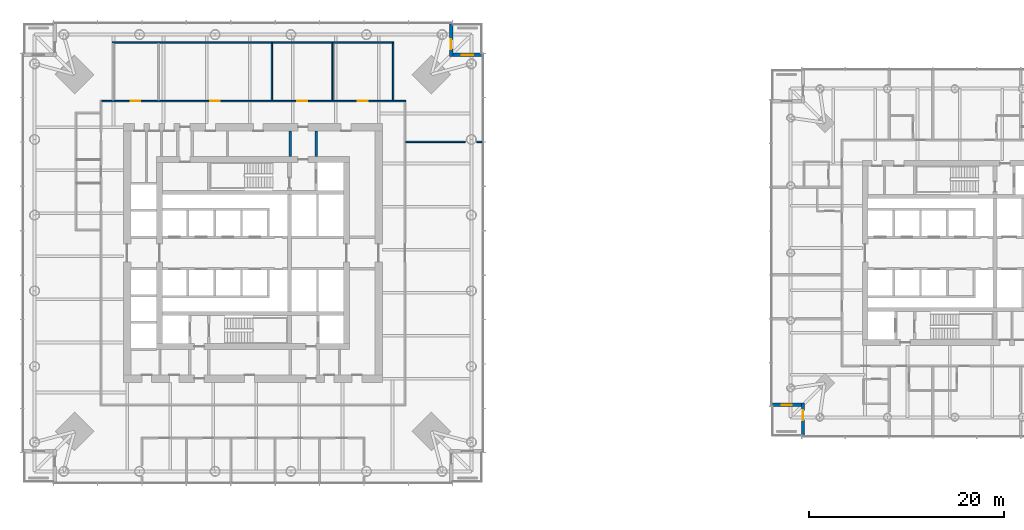
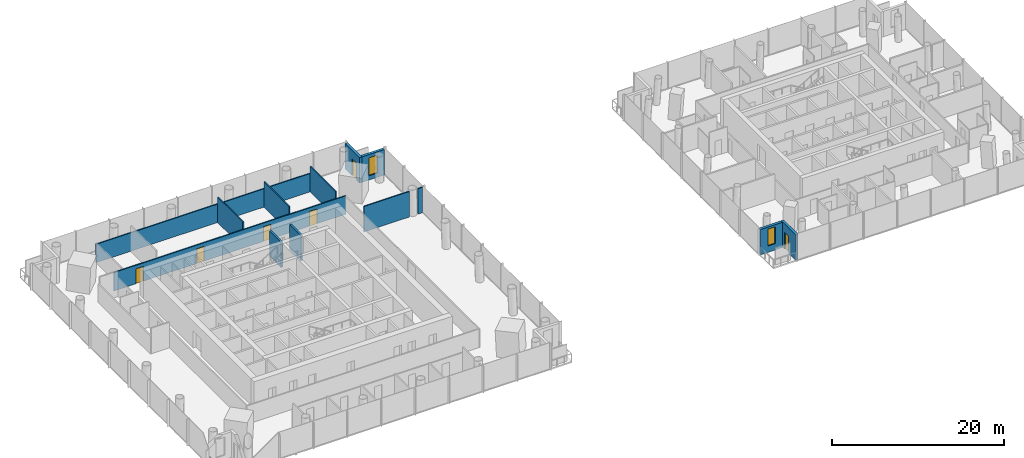
# One storey, part 11 of 18: 13 walls, 6 doors, 2 windows, 8 openings.
"""IFC4 building model written with IfcOpenShell, lengths in metres."""

from ifc_helpers import new_model, si_unit, direction, frame, frame_2d, origin, place, context, subcontext, project, spatial, rectangle, extrude, material, layer, layer_set, type_object, element, fill, save


model = new_model("IFC4")

# Units and contexts
model_context = context("Model", 3, precision=1e-05, world=origin(), true_north=direction((0.0, 1.0)))
body_context = subcontext(model_context, "Body", "Model", "MODEL_VIEW")
ifc_project = project(units=[si_unit("LENGTHUNIT", "METRE"), si_unit("AREAUNIT", "SQUARE_METRE"), si_unit("VOLUMEUNIT", "CUBIC_METRE"), si_unit("PLANEANGLEUNIT", "RADIAN"), si_unit("MASSUNIT", "GRAM", prefix="KILO")], contexts=[model_context])

# Site, building, storey
site_placement = place(None, origin())
site = spatial("IfcSite", under=ifc_project, at=site_placement, CompositionType="ELEMENT")
building_placement = place(site_placement, origin())
building = spatial("IfcBuilding", under=site, at=building_placement, Name="Ostroluk Exchange", CompositionType="ELEMENT")
storey_placement = place(building_placement, frame((0.0, 0.0, 70.39990234375)))
storey = spatial("IfcBuildingStorey", under=building, at=storey_placement, Name="L17", CompositionType="ELEMENT", Elevation=70.39990234375)

# Walls
ifc_material_1 = material(Name="Concrete blockwork", Category="masonry")
ifc_layer_1 = layer(ifc_material_1, 0.25)
ifc_layer_set_1 = layer_set([ifc_layer_1], Name="Blockwork stair enclosure wall 250")
wall_type_1 = type_object("IfcWallType", Name="Blockwork stair enclosure wall 250", PredefinedType="SOLIDWALL", material=ifc_layer_set_1)
for number, where, z_axis, x_axis, name in (
    (1, (48.804931640625, 55.89990234375, 0.0), (0.0, 0.0, 1.0), (0.0, 1.0, 0.0), "Fire lobby enclosure wall"),
    (2, (51.47509765625, 55.89990234375, 0.0), (0.0, 0.0, 1.0), (0.0, 1.0, 0.0), "Fire lobby enclosure wall"),
):
    element("IfcWall", number, at=place(storey_placement, frame(where, z_axis=z_axis, x_axis=x_axis)), inside=storey, type_object=wall_type_1, Name=name, PredefinedType="SOLIDWALL", context=body_context, shape_type="SweptSolid", body=[
        extrude(rectangle(XDim=2.60009765625, YDim=0.25, at=frame_2d((1.300048828125, 0.0))), origin(), (0.0, 0.0, 1.0), 3.6201171875),
    ])

# Wall, opening, door
ifc_material_2 = material(Name="Limestone", Category="masonry")
ifc_layer_2 = layer(ifc_material_2, 0.35009765625)
ifc_layer_set_2 = layer_set([ifc_layer_2], Name="Limestone facade wall 350")
wall_type_2 = type_object("IfcWallType", Name="Limestone facade wall 350", PredefinedType="SOLIDWALL", material=ifc_layer_set_2)
wall_1_placement = place(storey_placement, frame((65.324951171875, 69.5, 0.0), z_axis=(0.0, 0.0, 1.0), x_axis=(0.0, -1.0, 0.0)))
wall_1 = element("IfcWall", 3, at=wall_1_placement, inside=storey, type_object=wall_type_2, Name="Office tower NE corner wall L17 a", PredefinedType="SOLIDWALL", context=body_context, shape_type="SweptSolid", body=[
    extrude(rectangle(XDim=3.35009765625, YDim=0.35009765625, at=frame_2d((1.675048828125, 0.0))), origin(), (0.0, 0.0, 1.0), 3.6201171875),
])
opening_1_placement = place(wall_1_placement, frame((1.60009765625, 0.0, 0.0)))
opening_1 = element("IfcOpeningElement", 4, at=opening_1_placement, cuts=wall_1, Name="Opening D-B1", PredefinedType="OPENING", context=body_context, shape_type="SweptSolid", body=[
    extrude(rectangle(XDim=1.0, YDim=2.39990234375, at=frame_2d((0.5, 1.199951171875))), frame((0.0, 0.18505859375, 0.0), z_axis=(0.0, -1.0, 0.0), x_axis=(1.0, 0.0, 0.0)), (0.0, 0.0, 1.0), 0.3701171875),
])
ifc_material_3 = material(Name="Bronze framed glazed door", Category="aluminium")
door_type_1 = type_object("IfcDoorType", Name="Balcony door 1000 x 2400", OperationType="SINGLE_SWING_LEFT", PredefinedType="DOOR", material=ifc_material_3)
door_1_placement = place(opening_1_placement, origin())
door_1 = element("IfcDoor", 5, at=door_1_placement, inside=storey, type_object=door_type_1, Name="Office tower NE balcony door L17", OperationType="SINGLE_SWING_RIGHT", OverallHeight=2.39990234375, OverallWidth=1.0, PredefinedType="DOOR", context=body_context, shape_type="SweptSolid", body=[
    extrude(rectangle(XDim=1.0, YDim=2.39990234375, at=frame_2d((0.5, 1.199951171875))), frame((0.0, 0.02490234375, 0.0), z_axis=(0.0, -1.0, 0.0), x_axis=(1.0, 0.0, 0.0)), (0.0, 0.0, 1.0), 0.050048828125),
])
fill(opening_1, door_1)

# Wall, opening, window
wall_2_placement = place(storey_placement, frame((65.5, 66.324951171875, 0.0), z_axis=(0.0, 0.0, 1.0), x_axis=(1.0, 0.0, 0.0)))
wall_2 = element("IfcWall", 6, at=wall_2_placement, inside=storey, type_object=wall_type_2, Name="Office tower NE corner wall L17 b", PredefinedType="SOLIDWALL", context=body_context, shape_type="SweptSolid", body=[
    extrude(rectangle(XDim=3.0, YDim=0.35009765625, at=frame_2d((1.5, 0.0))), origin(), (0.0, 0.0, 1.0), 3.6201171875),
])
opening_2_placement = place(wall_2_placement, frame((0.89990234375, 0.0, 0.60009765625)))
opening_2 = element("IfcOpeningElement", 7, at=opening_2_placement, cuts=wall_2, Name="Opening WN-L1", PredefinedType="OPENING", context=body_context, shape_type="SweptSolid", body=[
    extrude(rectangle(XDim=1.199951171875, YDim=2.550048828125, at=frame_2d((0.60009765625, 1.27490234375))), frame((0.0, 0.18505859375, 0.0), z_axis=(0.0, -1.0, 0.0), x_axis=(1.0, 0.0, 0.0)), (0.0, 0.0, 1.0), 0.3701171875),
])
ifc_material_4 = material(Name="Laminated clear glass", Category="glass")
window_type_1 = type_object("IfcWindowType", Name="Lancet window 1200 x 2550", PartitioningType="SINGLE_PANEL", PredefinedType="WINDOW", material=ifc_material_4)
window_1_placement = place(opening_2_placement, origin())
window_1 = element("IfcWindow", 8, at=window_1_placement, inside=storey, type_object=window_type_1, Name="Office tower NE lancet window L17", OverallHeight=2.550048828125, OverallWidth=1.199951171875, PartitioningType="SINGLE_PANEL", PredefinedType="WINDOW", context=body_context, shape_type="SweptSolid", body=[
    extrude(rectangle(XDim=1.199951171875, YDim=2.550048828125, at=frame_2d((0.60009765625, 1.27490234375))), frame((0.0, 0.030029296875, 0.0), z_axis=(0.0, -1.0, 0.0), x_axis=(1.0, 0.0, 0.0)), (0.0, 0.0, 1.0), 0.06005859375),
])
fill(opening_2, window_1)

# Wall, opening, door
wall_3_placement = place(storey_placement, frame((101.425048828125, 27.25, 0.0), z_axis=(0.0, 0.0, 1.0), x_axis=(0.0, 1.0, 0.0)))
wall_3 = element("IfcWall", 9, at=wall_3_placement, inside=storey, type_object=wall_type_2, Name="Hotel tower SW corner wall L17 a", PredefinedType="SOLIDWALL", context=body_context, shape_type="SweptSolid", body=[
    extrude(rectangle(XDim=3.35009765625, YDim=0.35009765625, at=frame_2d((1.675048828125, 0.0))), origin(), (0.0, 0.0, 1.0), 3.60009765625),
])
opening_3_placement = place(wall_3_placement, frame((1.60009765625, 0.0, 0.0)))
opening_3 = element("IfcOpeningElement", 10, at=opening_3_placement, cuts=wall_3, Name="Opening D-B1", PredefinedType="OPENING", context=body_context, shape_type="SweptSolid", body=[
    extrude(rectangle(XDim=1.0, YDim=2.39990234375, at=frame_2d((0.5, 1.199951171875))), frame((0.0, 0.18505859375, 0.0), z_axis=(0.0, -1.0, 0.0), x_axis=(1.0, 0.0, 0.0)), (0.0, 0.0, 1.0), 0.3701171875),
])
door_2_placement = place(opening_3_placement, origin())
door_2 = element("IfcDoor", 11, at=door_2_placement, inside=storey, type_object=door_type_1, Name="Hotel tower SW balcony door L17", OperationType="SINGLE_SWING_RIGHT", OverallHeight=2.39990234375, OverallWidth=1.0, PredefinedType="DOOR", context=body_context, shape_type="SweptSolid", body=[
    extrude(rectangle(XDim=1.0, YDim=2.39990234375, at=frame_2d((0.5, 1.199951171875))), frame((0.0, 0.02490234375, 0.0), z_axis=(0.0, -1.0, 0.0), x_axis=(1.0, 0.0, 0.0)), (0.0, 0.0, 1.0), 0.050048828125),
])
fill(opening_3, door_2)

# Wall, opening, window
wall_4_placement = place(storey_placement, frame((101.25, 30.425048828125, 0.0), z_axis=(0.0, 0.0, 1.0), x_axis=(-1.0, 0.0, 0.0)))
wall_4 = element("IfcWall", 12, at=wall_4_placement, inside=storey, type_object=wall_type_2, Name="Hotel tower SW corner wall L17 b", PredefinedType="SOLIDWALL", context=body_context, shape_type="SweptSolid", body=[
    extrude(rectangle(XDim=3.0, YDim=0.35009765625, at=frame_2d((1.5, 0.0))), origin(), (0.0, 0.0, 1.0), 3.60009765625),
])
opening_4_placement = place(wall_4_placement, frame((1.0, 0.0, 0.89990234375)))
opening_4 = element("IfcOpeningElement", 13, at=opening_4_placement, cuts=wall_4, Name="Opening WN-L3", PredefinedType="OPENING", context=body_context, shape_type="SweptSolid", body=[
    extrude(rectangle(XDim=1.0, YDim=2.39990234375, at=frame_2d((0.5, 1.199951171875))), frame((0.0, 0.18505859375, 0.0), z_axis=(0.0, -1.0, 0.0), x_axis=(1.0, 0.0, 0.0)), (0.0, 0.0, 1.0), 0.3701171875),
])
ifc_material_5 = material(Name="Laminated clear glass", Category="glass")
window_type_2 = type_object("IfcWindowType", Name="Hotel lancet window 1000 x 2400", PartitioningType="SINGLE_PANEL", PredefinedType="WINDOW", material=ifc_material_5)
window_2_placement = place(opening_4_placement, origin())
window_2 = element("IfcWindow", 14, at=window_2_placement, inside=storey, type_object=window_type_2, Name="Hotel tower SW lancet window L17", OverallHeight=2.39990234375, OverallWidth=1.0, PartitioningType="SINGLE_PANEL", PredefinedType="WINDOW", context=body_context, shape_type="SweptSolid", body=[
    extrude(rectangle(XDim=1.0, YDim=2.39990234375, at=frame_2d((0.5, 1.199951171875))), frame((0.0, 0.030029296875, 0.0), z_axis=(0.0, -1.0, 0.0), x_axis=(1.0, 0.0, 0.0)), (0.0, 0.0, 1.0), 0.06005859375),
])
fill(opening_4, window_2)

# Walls
ifc_material_6 = material(Name="Gypsum plasterboard partition", Category="gypsum")
ifc_layer_3 = layer(ifc_material_6, 0.14990234375)
ifc_layer_set_3 = layer_set([ifc_layer_3], Name="Plasterboard partition 150")
wall_type_3 = type_object("IfcWallType", Name="Plasterboard partition 150", PredefinedType="PARTITIONING", material=ifc_layer_set_3)
for number, where, z_axis, x_axis, name in (
    (15, (59.375, 61.64990234375, 0.0), (0.0, 0.0, 1.0), (0.0, 1.0, 0.0), "Partition"),
    (16, (53.15869140625, 61.64990234375, 0.0), (0.0, 0.0, 1.0), (0.0, 1.0, 0.0), "Partition"),
    (17, (46.942626953125, 61.64990234375, 0.0), (0.0, 0.0, 1.0), (0.0, 1.0, 0.0), "Partition"),
):
    element("IfcWall", number, at=place(storey_placement, frame(where, z_axis=z_axis, x_axis=x_axis)), inside=storey, type_object=wall_type_3, Name=name, PredefinedType="PARTITIONING", context=body_context, shape_type="SweptSolid", body=[
        extrude(rectangle(XDim=5.85009765625, YDim=0.14990234375, at=frame_2d((2.925048828125, 0.0))), origin(), (0.0, 0.0, 1.0), 3.6201171875),
    ])
wall_5_placement = place(storey_placement, frame((59.449951171875, 67.574951171875, 0.0), z_axis=(0.0, 0.0, 1.0), x_axis=(-1.0, 0.0, 0.0)))
element("IfcWall", 18, at=wall_5_placement, inside=storey, type_object=wall_type_3, Name="Partition", PredefinedType="PARTITIONING", context=body_context, shape_type="SweptSolid", body=[
    extrude(rectangle(XDim=28.89990234375, YDim=0.14990234375, at=frame_2d((14.449951171875, 0.0))), origin(), (0.0, 0.0, 1.0), 2.612060546875),
])
wall_6_placement = place(storey_placement, frame((60.64990234375, 57.388916015625, 0.0), z_axis=(0.0, 0.0, 1.0), x_axis=(1.0, 0.0, 0.0)))
element("IfcWall", 19, at=wall_6_placement, inside=storey, type_object=wall_type_3, Name="Tenancy partition", PredefinedType="PARTITIONING", context=body_context, shape_type="SweptSolid", body=[
    extrude(rectangle(XDim=6.14208984375, YDim=0.14990234375, at=frame_2d((3.071044921875, 0.0))), origin(), (0.0, 0.0, 1.0), 3.6201171875),
])
wall_7_placement = place(storey_placement, frame((67.929443359375, 57.388916015625, 0.0), z_axis=(0.0, 0.0, 1.0), x_axis=(1.0, 0.0, 0.0)))
element("IfcWall", 20, at=wall_7_placement, inside=storey, type_object=wall_type_3, Name="Tenancy partition", PredefinedType="PARTITIONING", context=body_context, shape_type="SweptSolid", body=[
    extrude(rectangle(XDim=0.610595703125, YDim=0.14990234375, at=frame_2d((0.30517578125, 0.0))), origin(), (0.0, 0.0, 1.0), 3.6201171875),
])

# Wall, openings, doors
wall_8_placement = place(storey_placement, frame((60.64990234375, 61.574951171875, 0.0), z_axis=(0.0, 0.0, 1.0), x_axis=(-1.0, 0.0, 0.0)))
wall_8 = element("IfcWall", 21, at=wall_8_placement, inside=storey, type_object=wall_type_3, Name="Corridor wall", PredefinedType="PARTITIONING", context=body_context, shape_type="SweptSolid", body=[
    extrude(rectangle(XDim=31.14990234375, YDim=0.14990234375, at=frame_2d((15.574951171875, 0.0))), origin(), (0.0, 0.0, 1.0), 2.612060546875),
])
opening_5_placement = place(wall_8_placement, frame((3.883056640625, 0.0, 0.0)))
opening_5 = element("IfcOpeningElement", 22, at=opening_5_placement, cuts=wall_8, Name="Opening D-03", PredefinedType="OPENING", context=body_context, shape_type="SweptSolid", body=[
    extrude(rectangle(XDim=1.0, YDim=2.10009765625, at=frame_2d((0.5, 1.050048828125))), frame((0.0, 0.0849609375, 0.0), z_axis=(0.0, -1.0, 0.0), x_axis=(1.0, 0.0, 0.0)), (0.0, 0.0, 1.0), 0.169921875),
])
opening_6_placement = place(wall_8_placement, frame((10.099365234375, 0.0, 0.0)))
opening_6 = element("IfcOpeningElement", 23, at=opening_6_placement, cuts=wall_8, Name="Opening D-03", PredefinedType="OPENING", context=body_context, shape_type="SweptSolid", body=[
    extrude(rectangle(XDim=1.0, YDim=2.10009765625, at=frame_2d((0.5, 1.050048828125))), frame((0.0, 0.0849609375, 0.0), z_axis=(0.0, -1.0, 0.0), x_axis=(1.0, 0.0, 0.0)), (0.0, 0.0, 1.0), 0.169921875),
])
opening_7_placement = place(wall_8_placement, frame((19.03515625, 0.0, 0.0)))
opening_7 = element("IfcOpeningElement", 24, at=opening_7_placement, cuts=wall_8, Name="Opening D-03", PredefinedType="OPENING", context=body_context, shape_type="SweptSolid", body=[
    extrude(rectangle(XDim=1.0, YDim=2.10009765625, at=frame_2d((0.5, 1.050048828125))), frame((0.0, 0.0849609375, 0.0), z_axis=(0.0, -1.0, 0.0), x_axis=(1.0, 0.0, 0.0)), (0.0, 0.0, 1.0), 0.169921875),
])
opening_8_placement = place(wall_8_placement, frame((27.19384765625, 0.0, 0.0)))
opening_8 = element("IfcOpeningElement", 25, at=opening_8_placement, cuts=wall_8, Name="Opening D-03", PredefinedType="OPENING", context=body_context, shape_type="SweptSolid", body=[
    extrude(rectangle(XDim=1.0, YDim=2.10009765625, at=frame_2d((0.5, 1.050048828125))), frame((0.0, 0.0849609375, 0.0), z_axis=(0.0, -1.0, 0.0), x_axis=(1.0, 0.0, 0.0)), (0.0, 0.0, 1.0), 0.169921875),
])
ifc_material_7 = material(Name="Timber", Category="wood")
door_type_2 = type_object("IfcDoorType", Name="Internal door 1000 x 2100", OperationType="SINGLE_SWING_LEFT", PredefinedType="DOOR", material=ifc_material_7)
door_3_placement = place(opening_5_placement, origin())
door_3 = element("IfcDoor", 26, at=door_3_placement, inside=storey, type_object=door_type_2, Name="Meeting room door", OperationType="SINGLE_SWING_LEFT", OverallHeight=2.10009765625, OverallWidth=1.0, PredefinedType="DOOR", context=body_context, shape_type="SweptSolid", body=[
    extrude(rectangle(XDim=1.0, YDim=2.10009765625, at=frame_2d((0.5, 1.050048828125))), frame((0.0, 0.02490234375, 0.0), z_axis=(0.0, -1.0, 0.0), x_axis=(1.0, 0.0, 0.0)), (0.0, 0.0, 1.0), 0.050048828125),
])
fill(opening_5, door_3)
door_4_placement = place(opening_6_placement, origin())
door_4 = element("IfcDoor", 27, at=door_4_placement, inside=storey, type_object=door_type_2, Name="Meeting room door", OperationType="SINGLE_SWING_LEFT", OverallHeight=2.10009765625, OverallWidth=1.0, PredefinedType="DOOR", context=body_context, shape_type="SweptSolid", body=[
    extrude(rectangle(XDim=1.0, YDim=2.10009765625, at=frame_2d((0.5, 1.050048828125))), frame((0.0, 0.02490234375, 0.0), z_axis=(0.0, -1.0, 0.0), x_axis=(1.0, 0.0, 0.0)), (0.0, 0.0, 1.0), 0.050048828125),
])
fill(opening_6, door_4)
door_5_placement = place(opening_7_placement, origin())
door_5 = element("IfcDoor", 28, at=door_5_placement, inside=storey, type_object=door_type_2, Name="Break-out kitchen door", OperationType="SINGLE_SWING_RIGHT", OverallHeight=2.10009765625, OverallWidth=1.0, PredefinedType="DOOR", context=body_context, shape_type="SweptSolid", body=[
    extrude(rectangle(XDim=1.0, YDim=2.10009765625, at=frame_2d((0.5, 1.050048828125))), frame((0.0, 0.02490234375, 0.0), z_axis=(0.0, -1.0, 0.0), x_axis=(1.0, 0.0, 0.0)), (0.0, 0.0, 1.0), 0.050048828125),
])
fill(opening_7, door_5)
door_6_placement = place(opening_8_placement, origin())
door_6 = element("IfcDoor", 29, at=door_6_placement, inside=storey, type_object=door_type_2, Name="Focus room door", OperationType="SINGLE_SWING_RIGHT", OverallHeight=2.10009765625, OverallWidth=1.0, PredefinedType="DOOR", context=body_context, shape_type="SweptSolid", body=[
    extrude(rectangle(XDim=1.0, YDim=2.10009765625, at=frame_2d((0.5, 1.050048828125))), frame((0.0, 0.02490234375, 0.0), z_axis=(0.0, -1.0, 0.0), x_axis=(1.0, 0.0, 0.0)), (0.0, 0.0, 1.0), 0.050048828125),
])
fill(opening_8, door_6)

save(model, "model.ifc")
